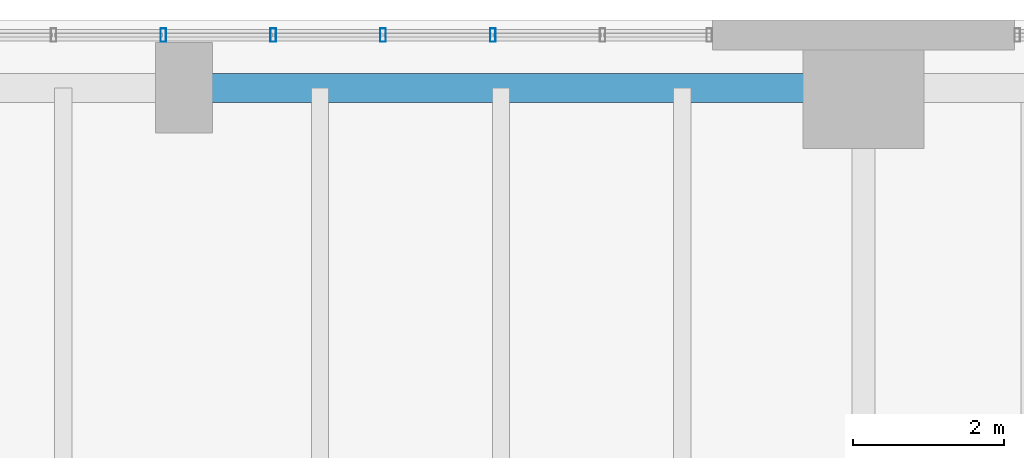
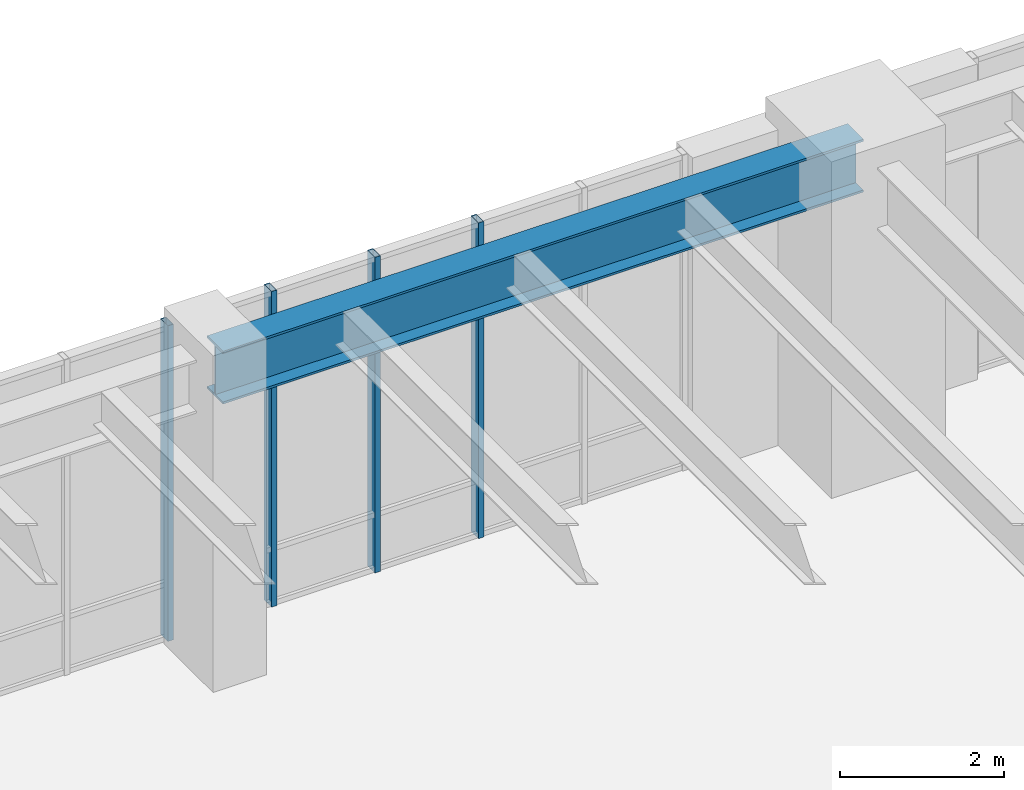
# One storey, part 13 of 26: 4 members, 1 beam, 1 element without a shape of its own.
"""IFC4 building model written with IfcOpenShell, lengths in metres."""

from ifc_helpers import new_model, si_unit, direction, frame, origin, origin_2d, place, context, subcontext, project, spatial, hollow_rectangle, i_section, extrude, material, layer, layer_set, material_profile, profile_set, type_object, element, aggregate, save


model = new_model("IFC4")

# Units and contexts
model_context = context("Model", 3, precision=1e-05, world=origin(), true_north=direction((0.0, 1.0)))
body_context = subcontext(model_context, "Body", "Model", "MODEL_VIEW")
ifc_project = project(units=[si_unit("LENGTHUNIT", "METRE"), si_unit("AREAUNIT", "SQUARE_METRE"), si_unit("VOLUMEUNIT", "CUBIC_METRE"), si_unit("PLANEANGLEUNIT", "RADIAN"), si_unit("MASSUNIT", "GRAM", prefix="KILO"), si_unit("THERMODYNAMICTEMPERATUREUNIT", "KELVIN"), si_unit("POWERUNIT", "WATT")], contexts=[model_context])

# Site, building, storey
site_placement = place(None, origin())
site = spatial("IfcSite", under=ifc_project, at=site_placement, CompositionType="ELEMENT")
building_placement = place(site_placement, origin())
building = spatial("IfcBuilding", under=site, at=building_placement, Name="Skarre Station Tower", CompositionType="ELEMENT")
storey_placement = place(building_placement, frame((0.0, 0.0, 6.0)))
storey = spatial("IfcBuildingStorey", under=building, at=storey_placement, Name="L02", CompositionType="ELEMENT", Elevation=6.0)

# Curtain wall, members
ifc_material_1 = material(Name="Thermally Broken Bronze-Anodized Aluminium & Triple Low-E Glass", Category="aluminium")
ifc_layer = layer(ifc_material_1, 0.199951171875, Name="Thermally Broken Bronze-Anodized Aluminium & Triple Low-E Glass")
ifc_layer_set = layer_set([ifc_layer], Name="Thermally Broken Bronze-Anodized Aluminium & Triple Low-E Glass")
curtain_wall_type = type_object("IfcCurtainWallType", Name="Podium Transit Arcade Stick Curtain Wall", PredefinedType="NOTDEFINED", material=ifc_layer_set)
curtain_wall_placement = place(storey_placement, origin())
curtain_wall = element("IfcCurtainWall", 1, at=curtain_wall_placement, inside=storey, type_object=curtain_wall_type, Name="L02 North Arcade West Curtain Wall", PredefinedType="NOTDEFINED")
ifc_material_2 = material(Name="Anodized Aluminium 6063-T6", Category="aluminium")
ifc_material_profile_1 = material_profile(ifc_material_2, hollow_rectangle(XDim=0.074951171875, YDim=0.179931640625, WallThickness=0.00390625, at=origin_2d()), Name="Anodized Aluminium 6063-T6")
ifc_profile_set_1 = profile_set([ifc_material_profile_1], Name="Anodized Aluminium 6063-T6")
member_type = type_object("IfcMemberType", Name="Curtain-Wall Unitised Tower Mullion 180x75", PredefinedType="MULLION", material=ifc_profile_set_1)
member_1_placement = place(storey_placement, frame((26.72705078125, 47.800048828125, 0.0), z_axis=(0.0, 0.0, 1.0), x_axis=(1.0, 0.0, 0.0)))
member_1 = element("IfcMember", 2, at=member_1_placement, type_object=member_type, Name="L02 North Arcade West Curtain Wall Mullion 7", PredefinedType="MULLION", context=body_context, shape_type="SweptSolid", body=[
    extrude(hollow_rectangle(XDim=0.074951171875, YDim=0.179931640625, WallThickness=0.00390625, at=origin_2d()), origin(), (0.0, 0.0, 1.0), 4.68994140625),
])
member_2_placement = place(storey_placement, frame((28.181884765625, 47.800048828125, 0.0), z_axis=(0.0, 0.0, 1.0), x_axis=(1.0, 0.0, 0.0)))
member_2 = element("IfcMember", 3, at=member_2_placement, type_object=member_type, Name="L02 North Arcade West Curtain Wall Mullion 8", PredefinedType="MULLION", context=body_context, shape_type="SweptSolid", body=[
    extrude(hollow_rectangle(XDim=0.074951171875, YDim=0.179931640625, WallThickness=0.00390625, at=origin_2d()), origin(), (0.0, 0.0, 1.0), 4.68994140625),
])
member_3_placement = place(storey_placement, frame((29.635986328125, 47.800048828125, 0.0), z_axis=(0.0, 0.0, 1.0), x_axis=(1.0, 0.0, 0.0)))
member_3 = element("IfcMember", 4, at=member_3_placement, type_object=member_type, Name="L02 North Arcade West Curtain Wall Mullion 9", PredefinedType="MULLION", context=body_context, shape_type="SweptSolid", body=[
    extrude(hollow_rectangle(XDim=0.074951171875, YDim=0.179931640625, WallThickness=0.00390625, at=origin_2d()), origin(), (0.0, 0.0, 1.0), 4.68994140625),
])
member_4_placement = place(storey_placement, frame((31.091064453125, 47.800048828125, 0.0), z_axis=(0.0, 0.0, 1.0), x_axis=(1.0, 0.0, 0.0)))
member_4 = element("IfcMember", 5, at=member_4_placement, type_object=member_type, Name="L02 North Arcade West Curtain Wall Mullion 10", PredefinedType="MULLION", context=body_context, shape_type="SweptSolid", body=[
    extrude(hollow_rectangle(XDim=0.074951171875, YDim=0.179931640625, WallThickness=0.00390625, at=origin_2d()), origin(), (0.0, 0.0, 1.0), 4.68994140625),
])
aggregate(curtain_wall, [member_1, member_2, member_3, member_4])

# Beam
ifc_material_3 = material(Name="Steel ASTM A992 Grade 50", Category="steel")
ifc_material_profile_2 = material_profile(ifc_material_3, i_section(OverallWidth=0.384033203125, OverallDepth=0.785888671875, WebThickness=0.02001953125, FlangeThickness=0.032958984375, at=origin_2d()), Name="Steel ASTM A992 Grade 50")
ifc_profile_set_2 = profile_set([ifc_material_profile_2], Name="Steel ASTM A992 Grade 50")
beam_type = type_object("IfcBeamType", Name="Steel Spandrel W30X211", PredefinedType="SPANDREL", material=ifc_profile_set_2)
beam_placement = place(storey_placement, frame((27.0, 47.10009765625, 4.297119140625), z_axis=(1.0, 0.0, 0.0), x_axis=(0.0, 1.0, 0.0)))
element("IfcBeam", 6, at=beam_placement, inside=storey, type_object=beam_type, Name="L02 North Podium Spandrel 4", PredefinedType="SPANDREL", context=body_context, shape_type="SweptSolid", body=[
    extrude(i_section(OverallWidth=0.384033203125, OverallDepth=0.785888671875, WebThickness=0.02001953125, FlangeThickness=0.032958984375, at=origin_2d()), origin(), (0.0, 0.0, 1.0), 9.0),
])

save(model, "model.ifc")
